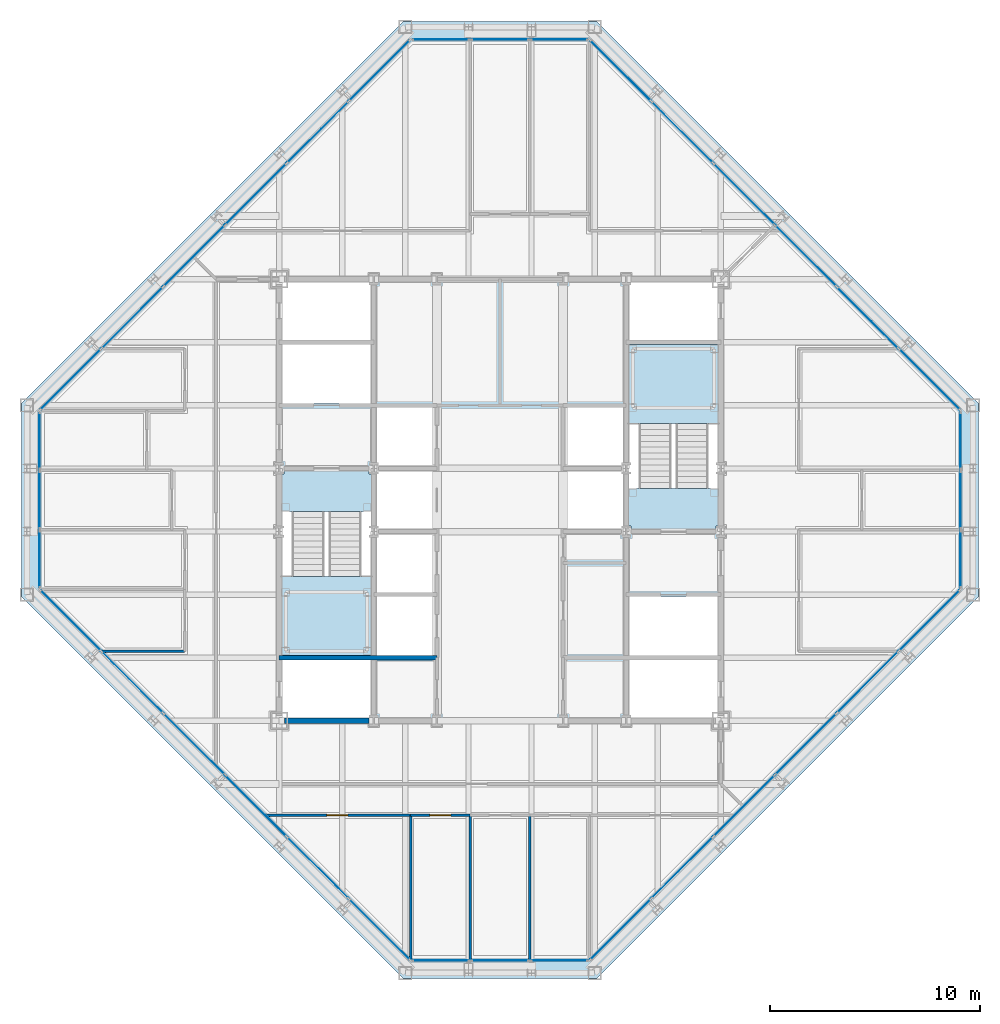
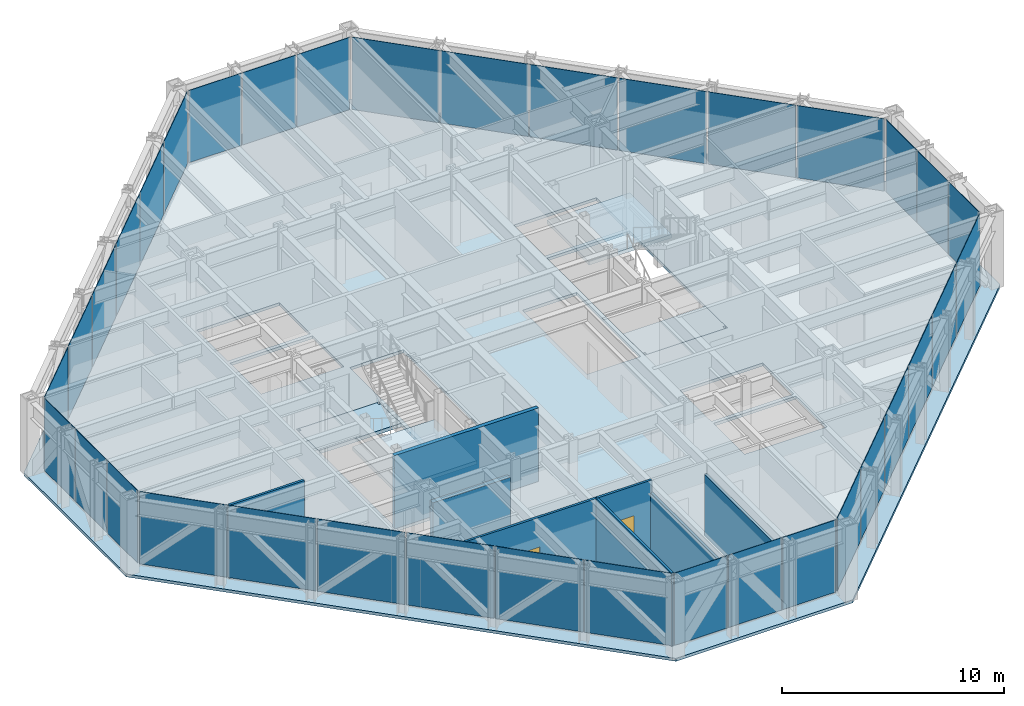
# One storey, part 9 of 15: 36 plates, 8 walls, 5 slabs, 2 doors, 2 openings, 10 elements without a shape of their own.
"""IFC4 building model written with IfcOpenShell, lengths in metres."""

from ifc_helpers import new_model, si_unit, direction, frame, frame_2d, origin, origin_2d, place, context, subcontext, project, spatial, polyline, rectangle, outline, extrude, material, layer, layer_set, type_object, element, fill, aggregate, save


model = new_model("IFC4")

# Units and contexts
model_context = context("Model", 3, precision=1e-05, world=origin(), true_north=direction((0.0, 1.0)))
body_context = subcontext(model_context, "Body", "Model", "MODEL_VIEW")
ifc_project = project(units=[si_unit("LENGTHUNIT", "METRE"), si_unit("AREAUNIT", "SQUARE_METRE"), si_unit("VOLUMEUNIT", "CUBIC_METRE"), si_unit("PLANEANGLEUNIT", "RADIAN"), si_unit("MASSUNIT", "GRAM", prefix="KILO")], contexts=[model_context])

# Site, building, storey
site_placement = place(None, origin())
site = spatial("IfcSite", under=ifc_project, at=site_placement, CompositionType="ELEMENT")
building_placement = place(site_placement, origin())
building = spatial("IfcBuilding", under=site, at=building_placement, Name="Chuquiago Exchange Tower", CompositionType="ELEMENT")
storey_placement = place(building_placement, frame((0.0, 0.0, 274.800048828125)))
storey = spatial("IfcBuildingStorey", under=building, at=storey_placement, Name="L61", CompositionType="ELEMENT", Elevation=274.800048828125)

# Curtain wall, plate
ifc_material_1 = material(Name="Aluminium curtain wall system", Category="aluminium")
ifc_layer_1 = layer(ifc_material_1, 0.22509765625)
ifc_layer_set_1 = layer_set([ifc_layer_1], Name="CW2 office curtain wall")
curtain_wall_type_1 = type_object("IfcCurtainWallType", Name="CW2 office curtain wall", PredefinedType="NOTDEFINED", material=ifc_layer_set_1)
curtain_wall_1_placement = place(storey_placement, origin())
curtain_wall_1 = element("IfcCurtainWall", 1, at=curtain_wall_1_placement, inside=storey, type_object=curtain_wall_type_1, Name="CW2 curtain wall L61", PredefinedType="NOTDEFINED")
ifc_material_2 = material(Name="Glass, insulating unit", Category="glass")
ifc_layer_2 = layer(ifc_material_2, 0.030029296875)
ifc_layer_set_2 = layer_set([ifc_layer_2], Name="CW2-P panel 30")
plate_type_1 = type_object("IfcPlateType", Name="CW2-P panel 30", PredefinedType="CURTAIN_PANEL", material=ifc_layer_set_2)
plate_1_placement = place(storey_placement, frame((25.318115234375, 0.60009765625, 0.06494140625), z_axis=(0.0, 0.0, 1.0), x_axis=(1.0, 0.0, 0.0)))
plate_1 = element("IfcPlate", 2, at=plate_1_placement, type_object=plate_type_1, Name="CW2 panel 3.1", PredefinedType="CURTAIN_PANEL", context=body_context, shape_type="SweptSolid", body=[
    extrude(rectangle(XDim=2.73681640625, YDim=0.030029296875, at=origin_2d()), origin(), (0.0, 0.0, 1.0), 3.97509765625),
])

curtain_wall_2_placement = place(storey_placement, origin())
curtain_wall_2 = element("IfcCurtainWall", 3, at=curtain_wall_2_placement, inside=storey, type_object=curtain_wall_type_1, Name="CW2 curtain wall L61", PredefinedType="NOTDEFINED")
plate_2_placement = place(storey_placement, frame((44.39990234375, 25.318115234375, 0.06494140625), z_axis=(0.0, 0.0, 1.0), x_axis=(0.0, 1.0, 0.0)))
plate_2 = element("IfcPlate", 4, at=plate_2_placement, type_object=plate_type_1, Name="CW2 panel 3.1", PredefinedType="CURTAIN_PANEL", context=body_context, shape_type="SweptSolid", body=[
    extrude(rectangle(XDim=2.73681640625, YDim=0.030029296875, at=origin_2d()), origin(), (0.0, 0.0, 1.0), 3.97509765625),
])

curtain_wall_3_placement = place(storey_placement, origin())
curtain_wall_3 = element("IfcCurtainWall", 5, at=curtain_wall_3_placement, inside=storey, type_object=curtain_wall_type_1, Name="CW2 curtain wall L61", PredefinedType="NOTDEFINED")
plate_3_placement = place(storey_placement, frame((19.681884765625, 44.39990234375, 0.06494140625), z_axis=(0.0, 0.0, 1.0), x_axis=(-1.0, 0.0, 0.0)))
plate_3 = element("IfcPlate", 6, at=plate_3_placement, type_object=plate_type_1, Name="CW2 panel 3.1", PredefinedType="CURTAIN_PANEL", context=body_context, shape_type="SweptSolid", body=[
    extrude(rectangle(XDim=2.73681640625, YDim=0.030029296875, at=origin_2d()), origin(), (0.0, 0.0, 1.0), 3.97509765625),
])

curtain_wall_4_placement = place(storey_placement, origin())
curtain_wall_4 = element("IfcCurtainWall", 7, at=curtain_wall_4_placement, inside=storey, type_object=curtain_wall_type_1, Name="CW2 curtain wall L61", PredefinedType="NOTDEFINED")
plate_4_placement = place(storey_placement, frame((0.60009765625, 19.681884765625, 0.06494140625), z_axis=(0.0, 0.0, 1.0), x_axis=(0.0, -1.0, 0.0)))
plate_4 = element("IfcPlate", 8, at=plate_4_placement, type_object=plate_type_1, Name="CW2 panel 3.1", PredefinedType="CURTAIN_PANEL", context=body_context, shape_type="SweptSolid", body=[
    extrude(rectangle(XDim=2.73681640625, YDim=0.030029296875, at=origin_2d()), origin(), (0.0, 0.0, 1.0), 3.97509765625),
])

# Plate
ifc_material_3 = material(Name="Insulated spandrel panel, pale anodised aluminium", Category="aluminium")
ifc_layer_3 = layer(ifc_material_3, 0.030029296875)
ifc_layer_set_3 = layer_set([ifc_layer_3], Name="CW2-P spandrel panel 30")
plate_type_2 = type_object("IfcPlateType", Name="CW2-P spandrel panel 30", PredefinedType="CURTAIN_PANEL", material=ifc_layer_set_3)
plate_5_placement = place(storey_placement, frame((19.681884765625, 0.60009765625, 0.06494140625), z_axis=(0.0, 0.0, 1.0), x_axis=(1.0, 0.0, 0.0)))
plate_5 = element("IfcPlate", 9, at=plate_5_placement, type_object=plate_type_2, Name="CW2 panel 1.1", PredefinedType="CURTAIN_PANEL", context=body_context, shape_type="SweptSolid", body=[
    extrude(rectangle(XDim=2.73681640625, YDim=0.030029296875, at=origin_2d()), origin(), (0.0, 0.0, 1.0), 3.97509765625),
])

plate_6_placement = place(storey_placement, frame((22.5, 0.60009765625, 0.06494140625), z_axis=(0.0, 0.0, 1.0), x_axis=(1.0, 0.0, 0.0)))
plate_6 = element("IfcPlate", 10, at=plate_6_placement, type_object=plate_type_2, Name="CW2 panel 2.1", PredefinedType="CURTAIN_PANEL", context=body_context, shape_type="SweptSolid", body=[
    extrude(rectangle(XDim=2.769287109375, YDim=0.030029296875, at=origin_2d()), origin(), (0.0, 0.0, 1.0), 3.97509765625),
])

aggregate(curtain_wall_1, [plate_5, plate_6, plate_1])

plate_7_placement = place(storey_placement, frame((44.39990234375, 19.681884765625, 0.06494140625), z_axis=(0.0, 0.0, 1.0), x_axis=(0.0, 1.0, 0.0)))
plate_7 = element("IfcPlate", 11, at=plate_7_placement, type_object=plate_type_2, Name="CW2 panel 1.1", PredefinedType="CURTAIN_PANEL", context=body_context, shape_type="SweptSolid", body=[
    extrude(rectangle(XDim=2.73681640625, YDim=0.030029296875, at=origin_2d()), origin(), (0.0, 0.0, 1.0), 3.97509765625),
])

plate_8_placement = place(storey_placement, frame((44.39990234375, 22.5, 0.06494140625), z_axis=(0.0, 0.0, 1.0), x_axis=(0.0, 1.0, 0.0)))
plate_8 = element("IfcPlate", 12, at=plate_8_placement, type_object=plate_type_2, Name="CW2 panel 2.1", PredefinedType="CURTAIN_PANEL", context=body_context, shape_type="SweptSolid", body=[
    extrude(rectangle(XDim=2.769287109375, YDim=0.030029296875, at=origin_2d()), origin(), (0.0, 0.0, 1.0), 3.97509765625),
])

aggregate(curtain_wall_2, [plate_7, plate_8, plate_2])

plate_9_placement = place(storey_placement, frame((25.318115234375, 44.39990234375, 0.06494140625), z_axis=(0.0, 0.0, 1.0), x_axis=(-1.0, 0.0, 0.0)))
plate_9 = element("IfcPlate", 13, at=plate_9_placement, type_object=plate_type_2, Name="CW2 panel 1.1", PredefinedType="CURTAIN_PANEL", context=body_context, shape_type="SweptSolid", body=[
    extrude(rectangle(XDim=2.73681640625, YDim=0.030029296875, at=origin_2d()), origin(), (0.0, 0.0, 1.0), 3.97509765625),
])

plate_10_placement = place(storey_placement, frame((22.5, 44.39990234375, 0.06494140625), z_axis=(0.0, 0.0, 1.0), x_axis=(-1.0, 0.0, 0.0)))
plate_10 = element("IfcPlate", 14, at=plate_10_placement, type_object=plate_type_2, Name="CW2 panel 2.1", PredefinedType="CURTAIN_PANEL", context=body_context, shape_type="SweptSolid", body=[
    extrude(rectangle(XDim=2.769287109375, YDim=0.030029296875, at=origin_2d()), origin(), (0.0, 0.0, 1.0), 3.97509765625),
])

aggregate(curtain_wall_3, [plate_9, plate_10, plate_3])

plate_11_placement = place(storey_placement, frame((0.60009765625, 25.318115234375, 0.06494140625), z_axis=(0.0, 0.0, 1.0), x_axis=(0.0, -1.0, 0.0)))
plate_11 = element("IfcPlate", 15, at=plate_11_placement, type_object=plate_type_2, Name="CW2 panel 1.1", PredefinedType="CURTAIN_PANEL", context=body_context, shape_type="SweptSolid", body=[
    extrude(rectangle(XDim=2.73681640625, YDim=0.030029296875, at=origin_2d()), origin(), (0.0, 0.0, 1.0), 3.97509765625),
])

plate_12_placement = place(storey_placement, frame((0.60009765625, 22.5, 0.06494140625), z_axis=(0.0, 0.0, 1.0), x_axis=(0.0, -1.0, 0.0)))
plate_12 = element("IfcPlate", 16, at=plate_12_placement, type_object=plate_type_2, Name="CW2 panel 2.1", PredefinedType="CURTAIN_PANEL", context=body_context, shape_type="SweptSolid", body=[
    extrude(rectangle(XDim=2.769287109375, YDim=0.030029296875, at=origin_2d()), origin(), (0.0, 0.0, 1.0), 3.97509765625),
])

aggregate(curtain_wall_4, [plate_11, plate_12, plate_4])

# Curtain wall, plates
ifc_material_4 = material(Name="Aluminium curtain wall system", Category="aluminium")
ifc_layer_4 = layer(ifc_material_4, 0.199951171875)
ifc_layer_set_4 = layer_set([ifc_layer_4], Name="CW3 facet curtain wall")
curtain_wall_type_2 = type_object("IfcCurtainWallType", Name="CW3 facet curtain wall", PredefinedType="NOTDEFINED", material=ifc_layer_set_4)
curtain_wall_5_placement = place(storey_placement, origin())
curtain_wall_5 = element("IfcCurtainWall", 17, at=curtain_wall_5_placement, inside=storey, type_object=curtain_wall_type_2, Name="CW3 curtain wall L61", PredefinedType="NOTDEFINED")
ifc_material_5 = material(Name="Insulated spandrel panel, pale anodised aluminium", Category="aluminium")
ifc_layer_5 = layer(ifc_material_5, 0.030029296875)
ifc_layer_set_5 = layer_set([ifc_layer_5], Name="CW3-P spandrel panel 30")
plate_type_3 = type_object("IfcPlateType", Name="CW3-P spandrel panel 30", PredefinedType="CURTAIN_PANEL", material=ifc_layer_set_5)
plate_13_placement = place(storey_placement, frame((28.233642578125, 2.082275390625, 0.06494140625), z_axis=(0.0, 0.0, 1.0), x_axis=(0.707106781187, 0.707106781187, 0.0)))
plate_13 = element("IfcPlate", 18, at=plate_13_placement, type_object=plate_type_3, Name="CW3 panel 1.1", PredefinedType="CURTAIN_PANEL", context=body_context, shape_type="SweptSolid", body=[
    extrude(rectangle(XDim=4.062255859375, YDim=0.030029296875, at=origin_2d()), origin(), (0.0, 0.0, 1.0), 3.97509765625),
])
plate_14_placement = place(storey_placement, frame((31.16357421875, 5.01220703125, 0.06494140625), z_axis=(0.0, 0.0, 1.0), x_axis=(0.707106781187, 0.707106781187, 0.0)))
plate_14 = element("IfcPlate", 19, at=plate_14_placement, type_object=plate_type_3, Name="CW3 panel 2.1", PredefinedType="CURTAIN_PANEL", context=body_context, shape_type="SweptSolid", body=[
    extrude(rectangle(XDim=4.0947265625, YDim=0.030029296875, at=origin_2d()), origin(), (0.0, 0.0, 1.0), 3.97509765625),
])
plate_15_placement = place(storey_placement, frame((34.10498046875, 7.95361328125, 0.06494140625), z_axis=(0.0, 0.0, 1.0), x_axis=(0.707106781187, 0.707106781187, 0.0)))
plate_15 = element("IfcPlate", 20, at=plate_15_placement, type_object=plate_type_3, Name="CW3 panel 3.1", PredefinedType="CURTAIN_PANEL", context=body_context, shape_type="SweptSolid", body=[
    extrude(rectangle(XDim=4.0947265625, YDim=0.030029296875, at=origin_2d()), origin(), (0.0, 0.0, 1.0), 3.97509765625),
])
plate_16_placement = place(storey_placement, frame((37.04638671875, 10.89501953125, 0.06494140625), z_axis=(0.0, 0.0, 1.0), x_axis=(0.707106781187, 0.707106781187, 0.0)))
plate_16 = element("IfcPlate", 21, at=plate_16_placement, type_object=plate_type_3, Name="CW3 panel 4.1", PredefinedType="CURTAIN_PANEL", context=body_context, shape_type="SweptSolid", body=[
    extrude(rectangle(XDim=4.0947265625, YDim=0.030029296875, at=origin_2d()), origin(), (0.0, 0.0, 1.0), 3.97509765625),
])
plate_17_placement = place(storey_placement, frame((39.98779296875, 13.83642578125, 0.06494140625), z_axis=(0.0, 0.0, 1.0), x_axis=(0.707106781187, 0.707106781187, 0.0)))
plate_17 = element("IfcPlate", 22, at=plate_17_placement, type_object=plate_type_3, Name="CW3 panel 5.1", PredefinedType="CURTAIN_PANEL", context=body_context, shape_type="SweptSolid", body=[
    extrude(rectangle(XDim=4.0947265625, YDim=0.030029296875, at=origin_2d()), origin(), (0.0, 0.0, 1.0), 3.97509765625),
])
plate_18_placement = place(storey_placement, frame((42.917724609375, 16.766357421875, 0.06494140625), z_axis=(0.0, 0.0, 1.0), x_axis=(0.707106781187, 0.707106781187, 0.0)))
plate_18 = element("IfcPlate", 23, at=plate_18_placement, type_object=plate_type_3, Name="CW3 panel 6.1", PredefinedType="CURTAIN_PANEL", context=body_context, shape_type="SweptSolid", body=[
    extrude(rectangle(XDim=4.062255859375, YDim=0.030029296875, at=origin_2d()), origin(), (0.0, 0.0, 1.0), 3.97509765625),
])
aggregate(curtain_wall_5, [plate_13, plate_14, plate_15, plate_16, plate_17, plate_18])

curtain_wall_6_placement = place(storey_placement, origin())
curtain_wall_6 = element("IfcCurtainWall", 24, at=curtain_wall_6_placement, inside=storey, type_object=curtain_wall_type_2, Name="CW3 curtain wall L61", PredefinedType="NOTDEFINED")
plate_19_placement = place(storey_placement, frame((42.917724609375, 28.233642578125, 0.06494140625), z_axis=(0.0, 0.0, 1.0), x_axis=(-0.707106781187, 0.707106781187, 0.0)))
plate_19 = element("IfcPlate", 25, at=plate_19_placement, type_object=plate_type_3, Name="CW3 panel 1.1", PredefinedType="CURTAIN_PANEL", context=body_context, shape_type="SweptSolid", body=[
    extrude(rectangle(XDim=4.062255859375, YDim=0.030029296875, at=origin_2d()), origin(), (0.0, 0.0, 1.0), 3.97509765625),
])
plate_20_placement = place(storey_placement, frame((39.98779296875, 31.16357421875, 0.06494140625), z_axis=(0.0, 0.0, 1.0), x_axis=(-0.707106781187, 0.707106781187, 0.0)))
plate_20 = element("IfcPlate", 26, at=plate_20_placement, type_object=plate_type_3, Name="CW3 panel 2.1", PredefinedType="CURTAIN_PANEL", context=body_context, shape_type="SweptSolid", body=[
    extrude(rectangle(XDim=4.0947265625, YDim=0.030029296875, at=origin_2d()), origin(), (0.0, 0.0, 1.0), 3.97509765625),
])
plate_21_placement = place(storey_placement, frame((37.04638671875, 34.10498046875, 0.06494140625), z_axis=(0.0, 0.0, 1.0), x_axis=(-0.707106781187, 0.707106781187, 0.0)))
plate_21 = element("IfcPlate", 27, at=plate_21_placement, type_object=plate_type_3, Name="CW3 panel 3.1", PredefinedType="CURTAIN_PANEL", context=body_context, shape_type="SweptSolid", body=[
    extrude(rectangle(XDim=4.0947265625, YDim=0.030029296875, at=origin_2d()), origin(), (0.0, 0.0, 1.0), 3.97509765625),
])
plate_22_placement = place(storey_placement, frame((34.10498046875, 37.04638671875, 0.06494140625), z_axis=(0.0, 0.0, 1.0), x_axis=(-0.707106781187, 0.707106781187, 0.0)))
plate_22 = element("IfcPlate", 28, at=plate_22_placement, type_object=plate_type_3, Name="CW3 panel 4.1", PredefinedType="CURTAIN_PANEL", context=body_context, shape_type="SweptSolid", body=[
    extrude(rectangle(XDim=4.0947265625, YDim=0.030029296875, at=origin_2d()), origin(), (0.0, 0.0, 1.0), 3.97509765625),
])
plate_23_placement = place(storey_placement, frame((31.16357421875, 39.98779296875, 0.06494140625), z_axis=(0.0, 0.0, 1.0), x_axis=(-0.707106781187, 0.707106781187, 0.0)))
plate_23 = element("IfcPlate", 29, at=plate_23_placement, type_object=plate_type_3, Name="CW3 panel 5.1", PredefinedType="CURTAIN_PANEL", context=body_context, shape_type="SweptSolid", body=[
    extrude(rectangle(XDim=4.0947265625, YDim=0.030029296875, at=origin_2d()), origin(), (0.0, 0.0, 1.0), 3.97509765625),
])
plate_24_placement = place(storey_placement, frame((28.233642578125, 42.917724609375, 0.06494140625), z_axis=(0.0, 0.0, 1.0), x_axis=(-0.707106781187, 0.707106781187, 0.0)))
plate_24 = element("IfcPlate", 30, at=plate_24_placement, type_object=plate_type_3, Name="CW3 panel 6.1", PredefinedType="CURTAIN_PANEL", context=body_context, shape_type="SweptSolid", body=[
    extrude(rectangle(XDim=4.062255859375, YDim=0.030029296875, at=origin_2d()), origin(), (0.0, 0.0, 1.0), 3.97509765625),
])
aggregate(curtain_wall_6, [plate_19, plate_20, plate_21, plate_22, plate_23, plate_24])

curtain_wall_7_placement = place(storey_placement, origin())
curtain_wall_7 = element("IfcCurtainWall", 31, at=curtain_wall_7_placement, inside=storey, type_object=curtain_wall_type_2, Name="CW3 curtain wall L61", PredefinedType="NOTDEFINED")
plate_25_placement = place(storey_placement, frame((16.766357421875, 42.917724609375, 0.06494140625), z_axis=(0.0, 0.0, 1.0), x_axis=(-0.707106781187, -0.707106781187, 0.0)))
plate_25 = element("IfcPlate", 32, at=plate_25_placement, type_object=plate_type_3, Name="CW3 panel 1.1", PredefinedType="CURTAIN_PANEL", context=body_context, shape_type="SweptSolid", body=[
    extrude(rectangle(XDim=4.062255859375, YDim=0.030029296875, at=origin_2d()), origin(), (0.0, 0.0, 1.0), 3.97509765625),
])
plate_26_placement = place(storey_placement, frame((13.83642578125, 39.98779296875, 0.06494140625), z_axis=(0.0, 0.0, 1.0), x_axis=(-0.707106781187, -0.707106781187, 0.0)))
plate_26 = element("IfcPlate", 33, at=plate_26_placement, type_object=plate_type_3, Name="CW3 panel 2.1", PredefinedType="CURTAIN_PANEL", context=body_context, shape_type="SweptSolid", body=[
    extrude(rectangle(XDim=4.0947265625, YDim=0.030029296875, at=origin_2d()), origin(), (0.0, 0.0, 1.0), 3.97509765625),
])
plate_27_placement = place(storey_placement, frame((10.89501953125, 37.04638671875, 0.06494140625), z_axis=(0.0, 0.0, 1.0), x_axis=(-0.707106781187, -0.707106781187, 0.0)))
plate_27 = element("IfcPlate", 34, at=plate_27_placement, type_object=plate_type_3, Name="CW3 panel 3.1", PredefinedType="CURTAIN_PANEL", context=body_context, shape_type="SweptSolid", body=[
    extrude(rectangle(XDim=4.0947265625, YDim=0.030029296875, at=origin_2d()), origin(), (0.0, 0.0, 1.0), 3.97509765625),
])
plate_28_placement = place(storey_placement, frame((7.95361328125, 34.10498046875, 0.06494140625), z_axis=(0.0, 0.0, 1.0), x_axis=(-0.707106781187, -0.707106781187, 0.0)))
plate_28 = element("IfcPlate", 35, at=plate_28_placement, type_object=plate_type_3, Name="CW3 panel 4.1", PredefinedType="CURTAIN_PANEL", context=body_context, shape_type="SweptSolid", body=[
    extrude(rectangle(XDim=4.0947265625, YDim=0.030029296875, at=origin_2d()), origin(), (0.0, 0.0, 1.0), 3.97509765625),
])
plate_29_placement = place(storey_placement, frame((5.01220703125, 31.16357421875, 0.06494140625), z_axis=(0.0, 0.0, 1.0), x_axis=(-0.707106781187, -0.707106781187, 0.0)))
plate_29 = element("IfcPlate", 36, at=plate_29_placement, type_object=plate_type_3, Name="CW3 panel 5.1", PredefinedType="CURTAIN_PANEL", context=body_context, shape_type="SweptSolid", body=[
    extrude(rectangle(XDim=4.0947265625, YDim=0.030029296875, at=origin_2d()), origin(), (0.0, 0.0, 1.0), 3.97509765625),
])
plate_30_placement = place(storey_placement, frame((2.082275390625, 28.233642578125, 0.06494140625), z_axis=(0.0, 0.0, 1.0), x_axis=(-0.707106781187, -0.707106781187, 0.0)))
plate_30 = element("IfcPlate", 37, at=plate_30_placement, type_object=plate_type_3, Name="CW3 panel 6.1", PredefinedType="CURTAIN_PANEL", context=body_context, shape_type="SweptSolid", body=[
    extrude(rectangle(XDim=4.062255859375, YDim=0.030029296875, at=origin_2d()), origin(), (0.0, 0.0, 1.0), 3.97509765625),
])
aggregate(curtain_wall_7, [plate_25, plate_26, plate_27, plate_28, plate_29, plate_30])

curtain_wall_8_placement = place(storey_placement, origin())
curtain_wall_8 = element("IfcCurtainWall", 38, at=curtain_wall_8_placement, inside=storey, type_object=curtain_wall_type_2, Name="CW3 curtain wall L61", PredefinedType="NOTDEFINED")
plate_31_placement = place(storey_placement, frame((2.082275390625, 16.766357421875, 0.06494140625), z_axis=(0.0, 0.0, 1.0), x_axis=(0.707106781187, -0.707106781187, 0.0)))
plate_31 = element("IfcPlate", 39, at=plate_31_placement, type_object=plate_type_3, Name="CW3 panel 1.1", PredefinedType="CURTAIN_PANEL", context=body_context, shape_type="SweptSolid", body=[
    extrude(rectangle(XDim=4.062255859375, YDim=0.030029296875, at=origin_2d()), origin(), (0.0, 0.0, 1.0), 3.97509765625),
])
plate_32_placement = place(storey_placement, frame((5.01220703125, 13.83642578125, 0.06494140625), z_axis=(0.0, 0.0, 1.0), x_axis=(0.707106781187, -0.707106781187, 0.0)))
plate_32 = element("IfcPlate", 40, at=plate_32_placement, type_object=plate_type_3, Name="CW3 panel 2.1", PredefinedType="CURTAIN_PANEL", context=body_context, shape_type="SweptSolid", body=[
    extrude(rectangle(XDim=4.0947265625, YDim=0.030029296875, at=origin_2d()), origin(), (0.0, 0.0, 1.0), 3.97509765625),
])
plate_33_placement = place(storey_placement, frame((7.95361328125, 10.89501953125, 0.06494140625), z_axis=(0.0, 0.0, 1.0), x_axis=(0.707106781187, -0.707106781187, 0.0)))
plate_33 = element("IfcPlate", 41, at=plate_33_placement, type_object=plate_type_3, Name="CW3 panel 3.1", PredefinedType="CURTAIN_PANEL", context=body_context, shape_type="SweptSolid", body=[
    extrude(rectangle(XDim=4.0947265625, YDim=0.030029296875, at=origin_2d()), origin(), (0.0, 0.0, 1.0), 3.97509765625),
])
plate_34_placement = place(storey_placement, frame((10.89501953125, 7.95361328125, 0.06494140625), z_axis=(0.0, 0.0, 1.0), x_axis=(0.707106781187, -0.707106781187, 0.0)))
plate_34 = element("IfcPlate", 42, at=plate_34_placement, type_object=plate_type_3, Name="CW3 panel 4.1", PredefinedType="CURTAIN_PANEL", context=body_context, shape_type="SweptSolid", body=[
    extrude(rectangle(XDim=4.0947265625, YDim=0.030029296875, at=origin_2d()), origin(), (0.0, 0.0, 1.0), 3.97509765625),
])
plate_35_placement = place(storey_placement, frame((13.83642578125, 5.01220703125, 0.06494140625), z_axis=(0.0, 0.0, 1.0), x_axis=(0.707106781187, -0.707106781187, 0.0)))
plate_35 = element("IfcPlate", 43, at=plate_35_placement, type_object=plate_type_3, Name="CW3 panel 5.1", PredefinedType="CURTAIN_PANEL", context=body_context, shape_type="SweptSolid", body=[
    extrude(rectangle(XDim=4.0947265625, YDim=0.030029296875, at=origin_2d()), origin(), (0.0, 0.0, 1.0), 3.97509765625),
])
plate_36_placement = place(storey_placement, frame((16.766357421875, 2.082275390625, 0.06494140625), z_axis=(0.0, 0.0, 1.0), x_axis=(0.707106781187, -0.707106781187, 0.0)))
plate_36 = element("IfcPlate", 44, at=plate_36_placement, type_object=plate_type_3, Name="CW3 panel 6.1", PredefinedType="CURTAIN_PANEL", context=body_context, shape_type="SweptSolid", body=[
    extrude(rectangle(XDim=4.062255859375, YDim=0.030029296875, at=origin_2d()), origin(), (0.0, 0.0, 1.0), 3.97509765625),
])
aggregate(curtain_wall_8, [plate_31, plate_32, plate_33, plate_34, plate_35, plate_36])

# Slab
ifc_material_6 = material(Name="Concrete C30/37", Category="concrete")
ifc_layer_6 = layer(ifc_material_6, 0.159912109375)
ifc_layer_set_6 = layer_set([ifc_layer_6], Name="FS1 composite floor 160")
slab_type_1 = type_object("IfcSlabType", Name="FS1 composite floor 160", PredefinedType="FLOOR", material=ifc_layer_set_6)
slab_1_placement = place(storey_placement, frame((0.0, 0.0, -0.16015625)))
element("IfcSlab", 45, at=slab_1_placement, inside=storey, type_object=slab_type_1, Name="L61 floor slab", PredefinedType="FLOOR", context=body_context, shape_type="SweptSolid", body=[
    extrude(outline(polyline([(17.896484375, -0.25), (-0.25, 17.896484375), (-0.25, 27.103515625), (17.896484375, 45.25), (27.103515625, 45.25), (45.25, 27.103515625), (45.25, 17.896484375), (27.103515625, -0.25), (17.896484375, -0.25)]), holes=[polyline([(16.39990234375, 15.10009765625), (12.10009765625, 15.10009765625), (12.10009765625, 23.89990234375), (16.39990234375, 23.89990234375), (16.39990234375, 15.10009765625)]), polyline([(32.89990234375, 21.10009765625), (28.60009765625, 21.10009765625), (28.60009765625, 29.89990234375), (32.89990234375, 29.89990234375), (32.89990234375, 21.10009765625)]), polyline([(16.39990234375, 12.10009765625), (12.10009765625, 12.10009765625), (12.10009765625, 14.89990234375), (16.39990234375, 14.89990234375), (16.39990234375, 12.10009765625)]), polyline([(16.39990234375, 30.10009765625), (12.10009765625, 30.10009765625), (12.10009765625, 32.89990234375), (16.39990234375, 32.89990234375), (16.39990234375, 30.10009765625)]), polyline([(32.89990234375, 12.10009765625), (28.60009765625, 12.10009765625), (28.60009765625, 14.89990234375), (32.89990234375, 14.89990234375), (32.89990234375, 12.10009765625)]), polyline([(32.89990234375, 30.10009765625), (28.60009765625, 30.10009765625), (28.60009765625, 32.89990234375), (32.89990234375, 32.89990234375), (32.89990234375, 30.10009765625)]), polyline([(16.39990234375, 27.10009765625), (12.10009765625, 27.10009765625), (12.10009765625, 29.89990234375), (16.39990234375, 29.89990234375), (16.39990234375, 27.10009765625)]), polyline([(32.89990234375, 15.10009765625), (28.60009765625, 15.10009765625), (28.60009765625, 17.89990234375), (32.89990234375, 17.89990234375), (32.89990234375, 15.10009765625)]), polyline([(19.39990234375, 15.10009765625), (16.60009765625, 15.10009765625), (16.60009765625, 26.89990234375), (19.39990234375, 26.89990234375), (19.39990234375, 15.10009765625)]), polyline([(28.39990234375, 21.10009765625), (25.60009765625, 21.10009765625), (25.60009765625, 26.89990234375), (28.39990234375, 26.89990234375), (28.39990234375, 21.10009765625)])]), origin(), (0.0, 0.0, 1.0), 0.16015625),
])

# Stair, slabs
ifc_material_7 = material(Name="Concrete C30/37, precast", Category="concrete")
stair_type_1 = type_object("IfcStairType", Name="ST1 half-turn stair 4200", PredefinedType="HALF_TURN_STAIR", material=ifc_material_7)
stair_1_placement = place(storey_placement, origin())
stair_1 = element("IfcStair", 46, at=stair_1_placement, inside=storey, type_object=stair_type_1, Name="Stair ST1 L61", PredefinedType="HALF_TURN_STAIR")
ifc_material_8 = material(Name="Concrete C30/37, precast", Category="concrete")
ifc_layer_7 = layer(ifc_material_8, 0.199951171875)
ifc_layer_set_7 = layer_set([ifc_layer_7], Name="ST-L landing 200")
slab_type_2 = type_object("IfcSlabType", Name="ST-L landing 200", PredefinedType="LANDING", material=ifc_layer_set_7)
slab_2_placement = place(storey_placement, frame((0.0, 0.0, -0.199951171875)))
slab_2 = element("IfcSlab", 47, at=slab_2_placement, type_object=slab_type_2, Name="ST1 landing 1", PredefinedType="LANDING", context=body_context, shape_type="SweptSolid", body=[
    extrude(outline(polyline([(12.224853515625, 23.89990234375), (16.275146484375, 23.89990234375), (16.275146484375, 23.7255859375), (16.39990234375, 23.7255859375), (16.39990234375, 21.949951171875), (12.10009765625, 21.949951171875), (12.10009765625, 23.7255859375), (12.224853515625, 23.7255859375), (12.224853515625, 23.89990234375)])), origin(), (0.0, 0.0, 1.0), 0.199951171875),
])
slab_3_placement = place(storey_placement, frame((0.0, 0.0, 1.89990234375)))
slab_3 = element("IfcSlab", 48, at=slab_3_placement, type_object=slab_type_2, Name="ST1 landing 2", PredefinedType="LANDING", context=body_context, shape_type="SweptSolid", body=[
    extrude(outline(polyline([(12.10009765625, 18.8701171875), (16.39990234375, 18.8701171875), (16.39990234375, 15.10009765625), (12.10009765625, 15.10009765625), (12.10009765625, 18.8701171875)])), origin(), (0.0, 0.0, 1.0), 0.199951171875),
])
aggregate(stair_1, [slab_2, slab_3])

ifc_material_9 = material(Name="Concrete C30/37, precast", Category="concrete")
stair_type_2 = type_object("IfcStairType", Name="ST2 half-turn stair 4200", PredefinedType="HALF_TURN_STAIR", material=ifc_material_9)
stair_2_placement = place(storey_placement, origin())
stair_2 = element("IfcStair", 49, at=stair_2_placement, inside=storey, type_object=stair_type_2, Name="Stair ST2 L61", PredefinedType="HALF_TURN_STAIR")
slab_4_placement = place(storey_placement, frame((0.0, 0.0, -0.199951171875)))
slab_4 = element("IfcSlab", 50, at=slab_4_placement, type_object=slab_type_2, Name="ST2 landing 1", PredefinedType="LANDING", context=body_context, shape_type="SweptSolid", body=[
    extrude(outline(polyline([(32.775146484375, 21.2744140625), (32.775146484375, 21.10009765625), (28.724853515625, 21.10009765625), (28.724853515625, 21.2744140625), (28.60009765625, 21.2744140625), (28.60009765625, 23.050048828125), (32.89990234375, 23.050048828125), (32.89990234375, 21.2744140625), (32.775146484375, 21.2744140625)])), origin(), (0.0, 0.0, 1.0), 0.199951171875),
])
slab_5_placement = place(storey_placement, frame((0.0, 0.0, 1.89990234375)))
slab_5 = element("IfcSlab", 51, at=slab_5_placement, type_object=slab_type_2, Name="ST2 landing 2", PredefinedType="LANDING", context=body_context, shape_type="SweptSolid", body=[
    extrude(outline(polyline([(28.60009765625, 29.89990234375), (32.89990234375, 29.89990234375), (32.89990234375, 26.1298828125), (28.60009765625, 26.1298828125), (28.60009765625, 29.89990234375)])), origin(), (0.0, 0.0, 1.0), 0.199951171875),
])
aggregate(stair_2, [slab_4, slab_5])

# Walls
ifc_material_10 = material(Name="Concrete masonry, fully grouted", Category="masonry")
ifc_layer_8 = layer(ifc_material_10, 0.25)
ifc_layer_set_8 = layer_set([ifc_layer_8], Name="W1 core wall 250")
wall_type_1 = type_object("IfcWallType", Name="W1 core wall 250", PredefinedType="SOLIDWALL", material=ifc_layer_set_8)
wall_1_placement = place(storey_placement, frame((12.25, 12.0, 0.0), z_axis=(0.0, 0.0, 1.0), x_axis=(1.0, 0.0, 0.0)))
element("IfcWall", 52, at=wall_1_placement, inside=storey, type_object=wall_type_1, Name="CW-L61-01-0", PredefinedType="SOLIDWALL", context=body_context, shape_type="SweptSolid", body=[
    extrude(rectangle(XDim=4.025146484375, YDim=0.25, at=frame_2d((2.0126953125, 0.0))), origin(), (0.0, 0.0, 1.0), 3.181396484375),
])
ifc_material_11 = material(Name="Concrete masonry, fully grouted", Category="masonry")
ifc_layer_9 = layer(ifc_material_11, 0.199951171875)
ifc_layer_set_9 = layer_set([ifc_layer_9], Name="W2 shaft wall 200")
wall_type_2 = type_object("IfcWallType", Name="W2 shaft wall 200", PredefinedType="SOLIDWALL", material=ifc_layer_set_9)
wall_2_placement = place(storey_placement, frame((12.0, 15.0, 0.0), z_axis=(0.0, 0.0, 1.0), x_axis=(1.0, 0.0, 0.0)))
element("IfcWall", 53, at=wall_2_placement, inside=storey, type_object=wall_type_2, Name="CW-L61-03-0", PredefinedType="SOLIDWALL", context=body_context, shape_type="SweptSolid", body=[
    extrude(rectangle(XDim=7.5, YDim=0.199951171875, at=frame_2d((3.75, 0.0))), origin(), (0.0, 0.0, 1.0), 4.0400390625),
])
ifc_material_12 = material(Name="Gypsum board on steel studs", Category="steel")
ifc_layer_10 = layer(ifc_material_12, 0.1201171875)
ifc_layer_set_10 = layer_set([ifc_layer_10], Name="W4 partition 120")
wall_type_3 = type_object("IfcWallType", Name="W4 partition 120", PredefinedType="PARTITIONING", material=ifc_layer_set_10)
wall_3_placement = place(storey_placement, frame((18.24853515625, 0.666015625, 0.0), z_axis=(0.0, 0.0, 1.0), x_axis=(0.0, 1.0, 0.0)))
element("IfcWall", 54, at=wall_3_placement, inside=storey, type_object=wall_type_3, Name="PW-L61-S01825", PredefinedType="PARTITIONING", context=body_context, shape_type="SweptSolid", body=[
    extrude(rectangle(XDim=6.833984375, YDim=0.1201171875, at=frame_2d((3.4169921875, 0.0))), origin(), (0.0, 0.0, 1.0), 4.0400390625),
])
for number, where, z_axis, x_axis, name in (
    (55, (21.082763671875, 0.652587890625, 0.0), (0.0, 0.0, 1.0), (0.0, 1.0, 0.0), "PW-L61-S02108"),
    (56, (23.917236328125, 0.652587890625, 0.0), (0.0, 0.0, 1.0), (0.0, 1.0, 0.0), "PW-L61-S02392"),
):
    element("IfcWall", number, at=place(storey_placement, frame(where, z_axis=z_axis, x_axis=x_axis)), inside=storey, type_object=wall_type_3, Name=name, PredefinedType="PARTITIONING", context=body_context, shape_type="SweptSolid", body=[
        extrude(rectangle(XDim=6.847412109375, YDim=0.1201171875, at=frame_2d((3.423828125, 0.0))), origin(), (0.0, 0.0, 1.0), 3.356689453125),
    ])

# Wall, opening, door
wall_4_placement = place(storey_placement, frame((11.385498046875, 7.5, 0.0), z_axis=(0.0, 0.0, 1.0), x_axis=(1.0, 0.0, 0.0)))
wall_4 = element("IfcWall", 57, at=wall_4_placement, inside=storey, type_object=wall_type_3, Name="PW-L61-SF00942", PredefinedType="PARTITIONING", context=body_context, shape_type="SweptSolid", body=[
    extrude(rectangle(XDim=6.863037109375, YDim=0.1201171875, at=frame_2d((3.431640625, 0.0))), origin(), (0.0, 0.0, 1.0), 4.0400390625),
])
opening_1_placement = place(wall_4_placement, frame((2.87939453125, 0.0, 0.0)))
opening_1 = element("IfcOpeningElement", 58, at=opening_1_placement, cuts=wall_4, Name="Opening L61-021", PredefinedType="OPENING", context=body_context, shape_type="SweptSolid", body=[
    extrude(rectangle(XDim=1.0, YDim=2.39990234375, at=frame_2d((0.5, 1.199951171875))), frame((0.0, 0.070068359375, 0.0), z_axis=(0.0, -1.0, 0.0), x_axis=(1.0, 0.0, 0.0)), (0.0, 0.0, 1.0), 0.14013671875),
])
ifc_material_13 = material(Name="Timber frame door, full height glazed panel", Category="wood")
door_type = type_object("IfcDoorType", Name="D14 glazed meeting room door 1000x2400", OperationType="SINGLE_SWING_LEFT", PredefinedType="DOOR", material=ifc_material_13)
door_1_placement = place(opening_1_placement, frame((1.0, 0.0, 0.0), z_axis=(0.0, 0.0, 1.0), x_axis=(-1.0, 0.0, 0.0)))
door_1 = element("IfcDoor", 59, at=door_1_placement, inside=storey, type_object=door_type, Name="Conference room door", OperationType="SINGLE_SWING_RIGHT", OverallHeight=2.39990234375, OverallWidth=1.0, PredefinedType="DOOR", context=body_context, shape_type="SweptSolid", body=[
    extrude(rectangle(XDim=1.0, YDim=2.39990234375, at=frame_2d((0.5, 1.199951171875))), frame((0.0, 0.02490234375, 0.0), z_axis=(0.0, -1.0, 0.0), x_axis=(1.0, 0.0, 0.0)), (0.0, 0.0, 1.0), 0.050048828125),
])
fill(opening_1, door_1)

wall_5_placement = place(storey_placement, frame((18.24853515625, 7.5, 0.0), z_axis=(0.0, 0.0, 1.0), x_axis=(1.0, 0.0, 0.0)))
wall_5 = element("IfcWall", 60, at=wall_5_placement, inside=storey, type_object=wall_type_3, Name="PW-L61-SF01825", PredefinedType="PARTITIONING", context=body_context, shape_type="SweptSolid", body=[
    extrude(rectangle(XDim=2.834228515625, YDim=0.1201171875, at=frame_2d((1.4169921875, 0.0))), origin(), (0.0, 0.0, 1.0), 4.0400390625),
])
opening_2_placement = place(wall_5_placement, frame((0.9169921875, 0.0, 0.0)))
opening_2 = element("IfcOpeningElement", 61, at=opening_2_placement, cuts=wall_5, Name="Opening L61-022", PredefinedType="OPENING", context=body_context, shape_type="SweptSolid", body=[
    extrude(rectangle(XDim=1.0, YDim=2.39990234375, at=frame_2d((0.5, 1.199951171875))), frame((0.0, 0.070068359375, 0.0), z_axis=(0.0, -1.0, 0.0), x_axis=(1.0, 0.0, 0.0)), (0.0, 0.0, 1.0), 0.14013671875),
])
door_2_placement = place(opening_2_placement, frame((1.0, 0.0, 0.0), z_axis=(0.0, 0.0, 1.0), x_axis=(-1.0, 0.0, 0.0)))
door_2 = element("IfcDoor", 62, at=door_2_placement, inside=storey, type_object=door_type, Name="Meeting room door", OperationType="SINGLE_SWING_RIGHT", OverallHeight=2.39990234375, OverallWidth=1.0, PredefinedType="DOOR", context=body_context, shape_type="SweptSolid", body=[
    extrude(rectangle(XDim=1.0, YDim=2.39990234375, at=frame_2d((0.5, 1.199951171875))), frame((0.0, 0.02490234375, 0.0), z_axis=(0.0, -1.0, 0.0), x_axis=(1.0, 0.0, 0.0)), (0.0, 0.0, 1.0), 0.050048828125),
])
fill(opening_2, door_2)

# Wall
wall_6_placement = place(storey_placement, frame((3.607421875, 15.30712890625, 0.0), z_axis=(0.0, 0.0, 1.0), x_axis=(1.0, 0.0, 0.0)))
element("IfcWall", 63, at=wall_6_placement, inside=storey, type_object=wall_type_3, Name="PW-L61-W01531", PredefinedType="PARTITIONING", context=body_context, shape_type="SweptSolid", body=[
    extrude(rectangle(XDim=3.892578125, YDim=0.1201171875, at=frame_2d((1.9462890625, 0.0))), origin(), (0.0, 0.0, 1.0), 4.0400390625),
])

save(model, "model.ifc")
